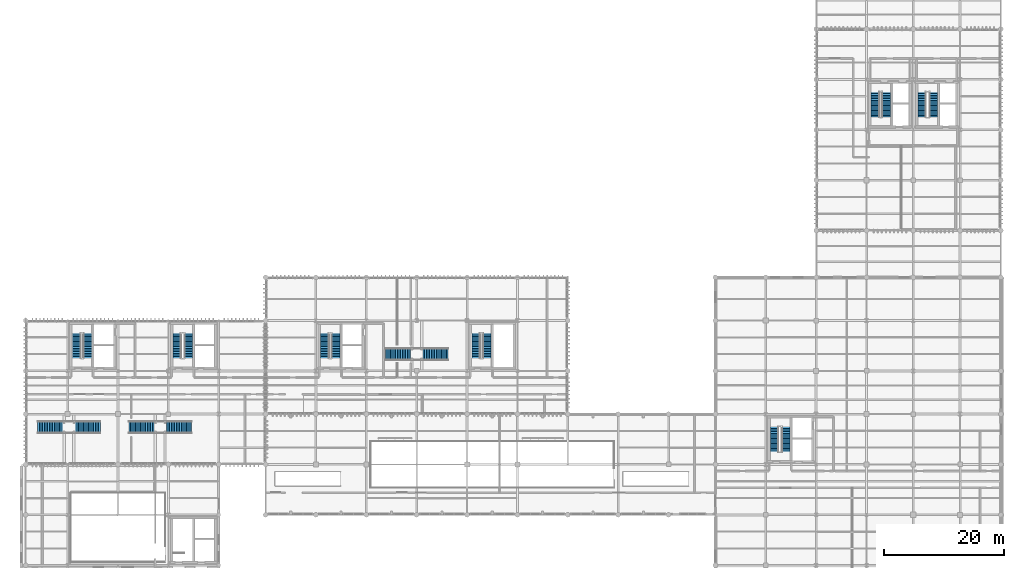
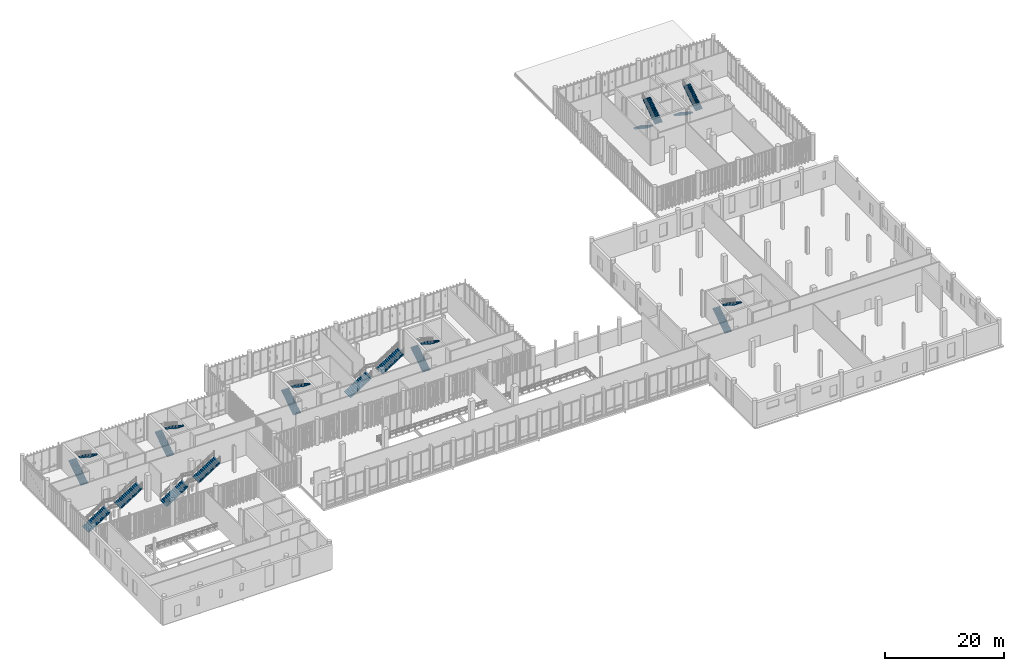
# One storey, part 114 of 128: 20 stair flights, 10 elements without a shape of their own.
"""IFC4 building model written with IfcOpenShell, lengths in metres."""

from ifc_helpers import new_model, si_unit, direction, frame, origin_with_axes, place, context, subcontext, project, spatial, polyline, outline, extrude, material, type_object, element, aggregate, save


model = new_model("IFC4")

# Units and contexts
model_context = context("Model", 3, precision=1e-05, world=origin_with_axes(), true_north=direction((0.0, 1.0)))
body_context = subcontext(model_context, "Body", "Model", "MODEL_VIEW")
ifc_project = project(units=[si_unit("LENGTHUNIT", "METRE"), si_unit("AREAUNIT", "SQUARE_METRE"), si_unit("VOLUMEUNIT", "CUBIC_METRE"), si_unit("PLANEANGLEUNIT", "RADIAN"), si_unit("MASSUNIT", "GRAM", prefix="KILO"), si_unit("THERMODYNAMICTEMPERATUREUNIT", "KELVIN")], contexts=[model_context])

# Site, building, storey
site_placement = place(None, origin_with_axes())
site = spatial("IfcSite", under=ifc_project, at=site_placement, CompositionType="ELEMENT")
building_placement = place(site_placement, origin_with_axes())
building = spatial("IfcBuilding", under=site, at=building_placement, Name="Montbau Bow Law Courts", CompositionType="ELEMENT")
storey_placement = place(building_placement, frame((0.0, 0.0, 5.4), z_axis=(0.0, 0.0, 1.0), x_axis=(1.0, 0.0, 0.0)))
storey = spatial("IfcBuildingStorey", under=building, at=storey_placement, Name="L01", CompositionType="ELEMENT", Elevation=5.4)

# Stair, stair flights
ifc_material_1 = material(Name="Concrete CSA A23.1 f'c 40 MPa", Category="concrete")
stair_type_1 = type_object("IfcStairType", Name="ST-JUD-1500", PredefinedType="HALF_TURN_STAIR", material=ifc_material_1)
stair_1_placement = place(None, frame((32.05, 48.3, 5.4), z_axis=(0.0, 0.0, 1.0), x_axis=(1.0, 0.0, 0.0)))
stair_1 = element("IfcStair", 1, at=stair_1_placement, inside=storey, type_object=stair_type_1, Name="ST-J1-L01:str_0011", PredefinedType="HALF_TURN_STAIR")
stair_flight_type_1 = type_object("IfcStairFlightType", Name="SF-RC-1500C", PredefinedType="STRAIGHT", material=ifc_material_1)
stair_flight_1_placement = place(None, frame((32.05, 48.3, 5.4), z_axis=(0.0, 0.0, 1.0), x_axis=(0.0, 1.0, 0.0)))
stair_flight_1 = element("IfcStairFlight", 2, at=stair_flight_1_placement, type_object=stair_flight_type_1, Name="ST-J1-L01-F1:str_0011_F1", NumberOfRisers=15, NumberOfTreads=14, PredefinedType="STRAIGHT", RiserHeight=0.18, TreadLength=0.28, context=body_context, shape_type="SweptSolid", body=[
    extrude(outline(polyline([(0.0, 0.0), (0.0, 0.18), (0.28, 0.18), (0.28, 0.36), (0.56, 0.36), (0.56, 0.54), (0.84, 0.54), (0.84, 0.72), (1.12, 0.72), (1.12, 0.9), (1.4, 0.9), (1.4, 1.08), (1.68, 1.08), (1.68, 1.26), (1.96, 1.26), (1.96, 1.44), (2.24, 1.44), (2.24, 1.62), (2.52, 1.62), (2.52, 1.8), (2.8, 1.8), (2.8, 1.98), (3.08, 1.98), (3.08, 2.16), (3.36, 2.16), (3.36, 2.34), (3.64, 2.34), (3.64, 2.52), (3.92, 2.52), (3.92, 2.7), (4.2, 2.7), (4.2, 2.486014), (0.332866, 0.0), (0.0, 0.0)])), frame((0.0, 0.67, 0.0), z_axis=(0.0, -1.0, 0.0), x_axis=(1.0, 0.0, 0.0)), (0.0, 0.0, 1.0), 1.34),
])
stair_flight_2_placement = place(None, frame((33.96, 52.5, 8.1), z_axis=(0.0, 0.0, 1.0), x_axis=(0.0, -1.0, 0.0)))
stair_flight_2 = element("IfcStairFlight", 3, at=stair_flight_2_placement, type_object=stair_flight_type_1, Name="ST-J1-L01-F2:str_0011_F2", NumberOfRisers=15, NumberOfTreads=14, PredefinedType="STRAIGHT", RiserHeight=0.18, TreadLength=0.28, context=body_context, shape_type="SweptSolid", body=[
    extrude(outline(polyline([(0.0, 0.0), (0.0, 0.18), (0.28, 0.18), (0.28, 0.36), (0.56, 0.36), (0.56, 0.54), (0.84, 0.54), (0.84, 0.72), (1.12, 0.72), (1.12, 0.9), (1.4, 0.9), (1.4, 1.08), (1.68, 1.08), (1.68, 1.26), (1.96, 1.26), (1.96, 1.44), (2.24, 1.44), (2.24, 1.62), (2.52, 1.62), (2.52, 1.8), (2.8, 1.8), (2.8, 1.98), (3.08, 1.98), (3.08, 2.16), (3.36, 2.16), (3.36, 2.34), (3.64, 2.34), (3.64, 2.52), (3.92, 2.52), (3.92, 2.7), (4.2, 2.7), (4.2, 2.486014), (0.332866, 0.0), (0.0, 0.0)])), frame((0.0, 0.67, 0.0), z_axis=(0.0, -1.0, 0.0), x_axis=(1.0, 0.0, 0.0)), (0.0, 0.0, 1.0), 1.34),
])
aggregate(stair_1, [stair_flight_1, stair_flight_2])

stair_2_placement = place(None, frame((156.25, 92.7, 5.4), z_axis=(0.0, 0.0, 1.0), x_axis=(1.0, 0.0, 0.0)))
stair_2 = element("IfcStair", 4, at=stair_2_placement, inside=storey, type_object=stair_type_1, Name="ST-J2-L01:str_0046", PredefinedType="HALF_TURN_STAIR")
stair_flight_3_placement = place(None, frame((156.25, 92.7, 5.4), z_axis=(0.0, 0.0, 1.0), x_axis=(0.0, -1.0, 0.0)))
stair_flight_3 = element("IfcStairFlight", 5, at=stair_flight_3_placement, type_object=stair_flight_type_1, Name="ST-J2-L01-F1:str_0046_F1", NumberOfRisers=15, NumberOfTreads=14, PredefinedType="STRAIGHT", RiserHeight=0.18, TreadLength=0.28, context=body_context, shape_type="SweptSolid", body=[
    extrude(outline(polyline([(0.0, 0.0), (0.0, 0.18), (0.28, 0.18), (0.28, 0.36), (0.56, 0.36), (0.56, 0.54), (0.84, 0.54), (0.84, 0.72), (1.12, 0.72), (1.12, 0.9), (1.4, 0.9), (1.4, 1.08), (1.68, 1.08), (1.68, 1.26), (1.96, 1.26), (1.96, 1.44), (2.24, 1.44), (2.24, 1.62), (2.52, 1.62), (2.52, 1.8), (2.8, 1.8), (2.8, 1.98), (3.08, 1.98), (3.08, 2.16), (3.36, 2.16), (3.36, 2.34), (3.64, 2.34), (3.64, 2.52), (3.92, 2.52), (3.92, 2.7), (4.2, 2.7), (4.2, 2.486014), (0.332866, 0.0), (0.0, 0.0)])), frame((0.0, 0.67, 0.0), z_axis=(0.0, -1.0, 0.0), x_axis=(1.0, 0.0, 0.0)), (0.0, 0.0, 1.0), 1.34),
])
stair_flight_4_placement = place(None, frame((158.16, 88.5, 8.1), z_axis=(0.0, 0.0, 1.0), x_axis=(0.0, 1.0, 0.0)))
stair_flight_4 = element("IfcStairFlight", 6, at=stair_flight_4_placement, type_object=stair_flight_type_1, Name="ST-J2-L01-F2:str_0046_F2", NumberOfRisers=15, NumberOfTreads=14, PredefinedType="STRAIGHT", RiserHeight=0.18, TreadLength=0.28, context=body_context, shape_type="SweptSolid", body=[
    extrude(outline(polyline([(0.0, 0.0), (0.0, 0.18), (0.28, 0.18), (0.28, 0.36), (0.56, 0.36), (0.56, 0.54), (0.84, 0.54), (0.84, 0.72), (1.12, 0.72), (1.12, 0.9), (1.4, 0.9), (1.4, 1.08), (1.68, 1.08), (1.68, 1.26), (1.96, 1.26), (1.96, 1.44), (2.24, 1.44), (2.24, 1.62), (2.52, 1.62), (2.52, 1.8), (2.8, 1.8), (2.8, 1.98), (3.08, 1.98), (3.08, 2.16), (3.36, 2.16), (3.36, 2.34), (3.64, 2.34), (3.64, 2.52), (3.92, 2.52), (3.92, 2.7), (4.2, 2.7), (4.2, 2.486014), (0.332866, 0.0), (0.0, 0.0)])), frame((0.0, 0.67, 0.0), z_axis=(0.0, -1.0, 0.0), x_axis=(1.0, 0.0, 0.0)), (0.0, 0.0, 1.0), 1.34),
])
aggregate(stair_2, [stair_flight_3, stair_flight_4])

stair_type_2 = type_object("IfcStairType", Name="ST-CUS-1500", PredefinedType="HALF_TURN_STAIR", material=ifc_material_1)
stair_3_placement = place(None, frame((131.65, 32.7, 5.4), z_axis=(0.0, 0.0, 1.0), x_axis=(1.0, 0.0, 0.0)))
stair_3 = element("IfcStair", 7, at=stair_3_placement, inside=storey, type_object=stair_type_2, Name="ST-C1-L01:str_0057", PredefinedType="HALF_TURN_STAIR")
stair_flight_5_placement = place(None, frame((131.65, 32.7, 5.4), z_axis=(0.0, 0.0, 1.0), x_axis=(0.0, 1.0, 0.0)))
stair_flight_5 = element("IfcStairFlight", 8, at=stair_flight_5_placement, type_object=stair_flight_type_1, Name="ST-C1-L01-F1:str_0057_F1", NumberOfRisers=15, NumberOfTreads=14, PredefinedType="STRAIGHT", RiserHeight=0.18, TreadLength=0.28, context=body_context, shape_type="SweptSolid", body=[
    extrude(outline(polyline([(0.0, 0.0), (0.0, 0.18), (0.28, 0.18), (0.28, 0.36), (0.56, 0.36), (0.56, 0.54), (0.84, 0.54), (0.84, 0.72), (1.12, 0.72), (1.12, 0.9), (1.4, 0.9), (1.4, 1.08), (1.68, 1.08), (1.68, 1.26), (1.96, 1.26), (1.96, 1.44), (2.24, 1.44), (2.24, 1.62), (2.52, 1.62), (2.52, 1.8), (2.8, 1.8), (2.8, 1.98), (3.08, 1.98), (3.08, 2.16), (3.36, 2.16), (3.36, 2.34), (3.64, 2.34), (3.64, 2.52), (3.92, 2.52), (3.92, 2.7), (4.2, 2.7), (4.2, 2.486014), (0.332866, 0.0), (0.0, 0.0)])), frame((0.0, 0.67, 0.0), z_axis=(0.0, -1.0, 0.0), x_axis=(1.0, 0.0, 0.0)), (0.0, 0.0, 1.0), 1.34),
])
stair_flight_6_placement = place(None, frame((133.56, 36.9, 8.1), z_axis=(0.0, 0.0, 1.0), x_axis=(0.0, -1.0, 0.0)))
stair_flight_6 = element("IfcStairFlight", 9, at=stair_flight_6_placement, type_object=stair_flight_type_1, Name="ST-C1-L01-F2:str_0057_F2", NumberOfRisers=15, NumberOfTreads=14, PredefinedType="STRAIGHT", RiserHeight=0.18, TreadLength=0.28, context=body_context, shape_type="SweptSolid", body=[
    extrude(outline(polyline([(0.0, 0.0), (0.0, 0.18), (0.28, 0.18), (0.28, 0.36), (0.56, 0.36), (0.56, 0.54), (0.84, 0.54), (0.84, 0.72), (1.12, 0.72), (1.12, 0.9), (1.4, 0.9), (1.4, 1.08), (1.68, 1.08), (1.68, 1.26), (1.96, 1.26), (1.96, 1.44), (2.24, 1.44), (2.24, 1.62), (2.52, 1.62), (2.52, 1.8), (2.8, 1.8), (2.8, 1.98), (3.08, 1.98), (3.08, 2.16), (3.36, 2.16), (3.36, 2.34), (3.64, 2.34), (3.64, 2.52), (3.92, 2.52), (3.92, 2.7), (4.2, 2.7), (4.2, 2.486014), (0.332866, 0.0), (0.0, 0.0)])), frame((0.0, 0.67, 0.0), z_axis=(0.0, -1.0, 0.0), x_axis=(1.0, 0.0, 0.0)), (0.0, 0.0, 1.0), 1.34),
])
aggregate(stair_3, [stair_flight_5, stair_flight_6])

stair_type_3 = type_object("IfcStairType", Name="ST-PUB-1800", PredefinedType="HALF_TURN_STAIR", material=ifc_material_1)
stair_4_placement = place(None, frame((15.29, 48.3, 5.4), z_axis=(0.0, 0.0, 1.0), x_axis=(1.0, 0.0, 0.0)))
stair_4 = element("IfcStair", 10, at=stair_4_placement, inside=storey, type_object=stair_type_3, Name="ST-P1-L01:str_0003", PredefinedType="HALF_TURN_STAIR")
stair_flight_type_2 = type_object("IfcStairFlightType", Name="SF-RC-1800C", PredefinedType="STRAIGHT", material=ifc_material_1)
stair_flight_7_placement = place(None, frame((15.29, 48.3, 5.4), z_axis=(0.0, 0.0, 1.0), x_axis=(0.0, 1.0, 0.0)))
stair_flight_7 = element("IfcStairFlight", 11, at=stair_flight_7_placement, type_object=stair_flight_type_2, Name="ST-P1-L01-F1:str_0003_F1", NumberOfRisers=15, NumberOfTreads=14, PredefinedType="STRAIGHT", RiserHeight=0.18, TreadLength=0.28, context=body_context, shape_type="SweptSolid", body=[
    extrude(outline(polyline([(0.0, 0.0), (0.0, 0.18), (0.28, 0.18), (0.28, 0.36), (0.56, 0.36), (0.56, 0.54), (0.84, 0.54), (0.84, 0.72), (1.12, 0.72), (1.12, 0.9), (1.4, 0.9), (1.4, 1.08), (1.68, 1.08), (1.68, 1.26), (1.96, 1.26), (1.96, 1.44), (2.24, 1.44), (2.24, 1.62), (2.52, 1.62), (2.52, 1.8), (2.8, 1.8), (2.8, 1.98), (3.08, 1.98), (3.08, 2.16), (3.36, 2.16), (3.36, 2.34), (3.64, 2.34), (3.64, 2.52), (3.92, 2.52), (3.92, 2.7), (4.2, 2.7), (4.2, 2.486014), (0.332866, 0.0), (0.0, 0.0)])), frame((0.0, 0.71, 0.0), z_axis=(0.0, -1.0, 0.0), x_axis=(1.0, 0.0, 0.0)), (0.0, 0.0, 1.0), 1.42),
])
stair_flight_8_placement = place(None, frame((17.12, 52.5, 8.1), z_axis=(0.0, 0.0, 1.0), x_axis=(0.0, -1.0, 0.0)))
stair_flight_8 = element("IfcStairFlight", 12, at=stair_flight_8_placement, type_object=stair_flight_type_2, Name="ST-P1-L01-F2:str_0003_F2", NumberOfRisers=15, NumberOfTreads=14, PredefinedType="STRAIGHT", RiserHeight=0.18, TreadLength=0.28, context=body_context, shape_type="SweptSolid", body=[
    extrude(outline(polyline([(0.0, 0.0), (0.0, 0.18), (0.28, 0.18), (0.28, 0.36), (0.56, 0.36), (0.56, 0.54), (0.84, 0.54), (0.84, 0.72), (1.12, 0.72), (1.12, 0.9), (1.4, 0.9), (1.4, 1.08), (1.68, 1.08), (1.68, 1.26), (1.96, 1.26), (1.96, 1.44), (2.24, 1.44), (2.24, 1.62), (2.52, 1.62), (2.52, 1.8), (2.8, 1.8), (2.8, 1.98), (3.08, 1.98), (3.08, 2.16), (3.36, 2.16), (3.36, 2.34), (3.64, 2.34), (3.64, 2.52), (3.92, 2.52), (3.92, 2.7), (4.2, 2.7), (4.2, 2.486014), (0.332866, 0.0), (0.0, 0.0)])), frame((0.0, 0.71, 0.0), z_axis=(0.0, -1.0, 0.0), x_axis=(1.0, 0.0, 0.0)), (0.0, 0.0, 1.0), 1.42),
])
aggregate(stair_4, [stair_flight_7, stair_flight_8])

stair_5_placement = place(None, frame((56.69, 48.3, 5.4), z_axis=(0.0, 0.0, 1.0), x_axis=(1.0, 0.0, 0.0)))
stair_5 = element("IfcStair", 13, at=stair_5_placement, inside=storey, type_object=stair_type_3, Name="ST-P4-L01:str_0019", PredefinedType="HALF_TURN_STAIR")
stair_flight_9_placement = place(None, frame((56.69, 48.3, 5.4), z_axis=(0.0, 0.0, 1.0), x_axis=(0.0, 1.0, 0.0)))
stair_flight_9 = element("IfcStairFlight", 14, at=stair_flight_9_placement, type_object=stair_flight_type_2, Name="ST-P4-L01-F1:str_0019_F1", NumberOfRisers=15, NumberOfTreads=14, PredefinedType="STRAIGHT", RiserHeight=0.18, TreadLength=0.28, context=body_context, shape_type="SweptSolid", body=[
    extrude(outline(polyline([(0.0, 0.0), (0.0, 0.18), (0.28, 0.18), (0.28, 0.36), (0.56, 0.36), (0.56, 0.54), (0.84, 0.54), (0.84, 0.72), (1.12, 0.72), (1.12, 0.9), (1.4, 0.9), (1.4, 1.08), (1.68, 1.08), (1.68, 1.26), (1.96, 1.26), (1.96, 1.44), (2.24, 1.44), (2.24, 1.62), (2.52, 1.62), (2.52, 1.8), (2.8, 1.8), (2.8, 1.98), (3.08, 1.98), (3.08, 2.16), (3.36, 2.16), (3.36, 2.34), (3.64, 2.34), (3.64, 2.52), (3.92, 2.52), (3.92, 2.7), (4.2, 2.7), (4.2, 2.486014), (0.332866, 0.0), (0.0, 0.0)])), frame((0.0, 0.71, 0.0), z_axis=(0.0, -1.0, 0.0), x_axis=(1.0, 0.0, 0.0)), (0.0, 0.0, 1.0), 1.42),
])
stair_flight_10_placement = place(None, frame((58.52, 52.5, 8.1), z_axis=(0.0, 0.0, 1.0), x_axis=(0.0, -1.0, 0.0)))
stair_flight_10 = element("IfcStairFlight", 15, at=stair_flight_10_placement, type_object=stair_flight_type_2, Name="ST-P4-L01-F2:str_0019_F2", NumberOfRisers=15, NumberOfTreads=14, PredefinedType="STRAIGHT", RiserHeight=0.18, TreadLength=0.28, context=body_context, shape_type="SweptSolid", body=[
    extrude(outline(polyline([(0.0, 0.0), (0.0, 0.18), (0.28, 0.18), (0.28, 0.36), (0.56, 0.36), (0.56, 0.54), (0.84, 0.54), (0.84, 0.72), (1.12, 0.72), (1.12, 0.9), (1.4, 0.9), (1.4, 1.08), (1.68, 1.08), (1.68, 1.26), (1.96, 1.26), (1.96, 1.44), (2.24, 1.44), (2.24, 1.62), (2.52, 1.62), (2.52, 1.8), (2.8, 1.8), (2.8, 1.98), (3.08, 1.98), (3.08, 2.16), (3.36, 2.16), (3.36, 2.34), (3.64, 2.34), (3.64, 2.52), (3.92, 2.52), (3.92, 2.7), (4.2, 2.7), (4.2, 2.486014), (0.332866, 0.0), (0.0, 0.0)])), frame((0.0, 0.71, 0.0), z_axis=(0.0, -1.0, 0.0), x_axis=(1.0, 0.0, 0.0)), (0.0, 0.0, 1.0), 1.42),
])
aggregate(stair_5, [stair_flight_9, stair_flight_10])

stair_6_placement = place(None, frame((81.89, 48.3, 5.4), z_axis=(0.0, 0.0, 1.0), x_axis=(1.0, 0.0, 0.0)))
stair_6 = element("IfcStair", 16, at=stair_6_placement, inside=storey, type_object=stair_type_3, Name="ST-P3-L01:str_0027", PredefinedType="HALF_TURN_STAIR")
stair_flight_11_placement = place(None, frame((81.89, 48.3, 5.4), z_axis=(0.0, 0.0, 1.0), x_axis=(0.0, 1.0, 0.0)))
stair_flight_11 = element("IfcStairFlight", 17, at=stair_flight_11_placement, type_object=stair_flight_type_2, Name="ST-P3-L01-F1:str_0027_F1", NumberOfRisers=15, NumberOfTreads=14, PredefinedType="STRAIGHT", RiserHeight=0.18, TreadLength=0.28, context=body_context, shape_type="SweptSolid", body=[
    extrude(outline(polyline([(0.0, 0.0), (0.0, 0.18), (0.28, 0.18), (0.28, 0.36), (0.56, 0.36), (0.56, 0.54), (0.84, 0.54), (0.84, 0.72), (1.12, 0.72), (1.12, 0.9), (1.4, 0.9), (1.4, 1.08), (1.68, 1.08), (1.68, 1.26), (1.96, 1.26), (1.96, 1.44), (2.24, 1.44), (2.24, 1.62), (2.52, 1.62), (2.52, 1.8), (2.8, 1.8), (2.8, 1.98), (3.08, 1.98), (3.08, 2.16), (3.36, 2.16), (3.36, 2.34), (3.64, 2.34), (3.64, 2.52), (3.92, 2.52), (3.92, 2.7), (4.2, 2.7), (4.2, 2.486014), (0.332866, 0.0), (0.0, 0.0)])), frame((0.0, 0.71, 0.0), z_axis=(0.0, -1.0, 0.0), x_axis=(1.0, 0.0, 0.0)), (0.0, 0.0, 1.0), 1.42),
])
stair_flight_12_placement = place(None, frame((83.72, 52.5, 8.1), z_axis=(0.0, 0.0, 1.0), x_axis=(0.0, -1.0, 0.0)))
stair_flight_12 = element("IfcStairFlight", 18, at=stair_flight_12_placement, type_object=stair_flight_type_2, Name="ST-P3-L01-F2:str_0027_F2", NumberOfRisers=15, NumberOfTreads=14, PredefinedType="STRAIGHT", RiserHeight=0.18, TreadLength=0.28, context=body_context, shape_type="SweptSolid", body=[
    extrude(outline(polyline([(0.0, 0.0), (0.0, 0.18), (0.28, 0.18), (0.28, 0.36), (0.56, 0.36), (0.56, 0.54), (0.84, 0.54), (0.84, 0.72), (1.12, 0.72), (1.12, 0.9), (1.4, 0.9), (1.4, 1.08), (1.68, 1.08), (1.68, 1.26), (1.96, 1.26), (1.96, 1.44), (2.24, 1.44), (2.24, 1.62), (2.52, 1.62), (2.52, 1.8), (2.8, 1.8), (2.8, 1.98), (3.08, 1.98), (3.08, 2.16), (3.36, 2.16), (3.36, 2.34), (3.64, 2.34), (3.64, 2.52), (3.92, 2.52), (3.92, 2.7), (4.2, 2.7), (4.2, 2.486014), (0.332866, 0.0), (0.0, 0.0)])), frame((0.0, 0.71, 0.0), z_axis=(0.0, -1.0, 0.0), x_axis=(1.0, 0.0, 0.0)), (0.0, 0.0, 1.0), 1.42),
])
aggregate(stair_6, [stair_flight_11, stair_flight_12])

stair_7_placement = place(None, frame((148.49, 92.7, 5.4), z_axis=(0.0, 0.0, 1.0), x_axis=(1.0, 0.0, 0.0)))
stair_7 = element("IfcStair", 19, at=stair_7_placement, inside=storey, type_object=stair_type_3, Name="ST-P2-L01:str_0035", PredefinedType="HALF_TURN_STAIR")
stair_flight_13_placement = place(None, frame((148.49, 92.7, 5.4), z_axis=(0.0, 0.0, 1.0), x_axis=(0.0, -1.0, 0.0)))
stair_flight_13 = element("IfcStairFlight", 20, at=stair_flight_13_placement, type_object=stair_flight_type_2, Name="ST-P2-L01-F1:str_0035_F1", NumberOfRisers=15, NumberOfTreads=14, PredefinedType="STRAIGHT", RiserHeight=0.18, TreadLength=0.28, context=body_context, shape_type="SweptSolid", body=[
    extrude(outline(polyline([(0.0, 0.0), (0.0, 0.18), (0.28, 0.18), (0.28, 0.36), (0.56, 0.36), (0.56, 0.54), (0.84, 0.54), (0.84, 0.72), (1.12, 0.72), (1.12, 0.9), (1.4, 0.9), (1.4, 1.08), (1.68, 1.08), (1.68, 1.26), (1.96, 1.26), (1.96, 1.44), (2.24, 1.44), (2.24, 1.62), (2.52, 1.62), (2.52, 1.8), (2.8, 1.8), (2.8, 1.98), (3.08, 1.98), (3.08, 2.16), (3.36, 2.16), (3.36, 2.34), (3.64, 2.34), (3.64, 2.52), (3.92, 2.52), (3.92, 2.7), (4.2, 2.7), (4.2, 2.486014), (0.332866, 0.0), (0.0, 0.0)])), frame((0.0, 0.71, 0.0), z_axis=(0.0, -1.0, 0.0), x_axis=(1.0, 0.0, 0.0)), (0.0, 0.0, 1.0), 1.42),
])
stair_flight_14_placement = place(None, frame((150.32, 88.5, 8.1), z_axis=(0.0, 0.0, 1.0), x_axis=(0.0, 1.0, 0.0)))
stair_flight_14 = element("IfcStairFlight", 21, at=stair_flight_14_placement, type_object=stair_flight_type_2, Name="ST-P2-L01-F2:str_0035_F2", NumberOfRisers=15, NumberOfTreads=14, PredefinedType="STRAIGHT", RiserHeight=0.18, TreadLength=0.28, context=body_context, shape_type="SweptSolid", body=[
    extrude(outline(polyline([(0.0, 0.0), (0.0, 0.18), (0.28, 0.18), (0.28, 0.36), (0.56, 0.36), (0.56, 0.54), (0.84, 0.54), (0.84, 0.72), (1.12, 0.72), (1.12, 0.9), (1.4, 0.9), (1.4, 1.08), (1.68, 1.08), (1.68, 1.26), (1.96, 1.26), (1.96, 1.44), (2.24, 1.44), (2.24, 1.62), (2.52, 1.62), (2.52, 1.8), (2.8, 1.8), (2.8, 1.98), (3.08, 1.98), (3.08, 2.16), (3.36, 2.16), (3.36, 2.34), (3.64, 2.34), (3.64, 2.52), (3.92, 2.52), (3.92, 2.7), (4.2, 2.7), (4.2, 2.486014), (0.332866, 0.0), (0.0, 0.0)])), frame((0.0, 0.71, 0.0), z_axis=(0.0, -1.0, 0.0), x_axis=(1.0, 0.0, 0.0)), (0.0, 0.0, 1.0), 1.42),
])
aggregate(stair_7, [stair_flight_13, stair_flight_14])

ifc_material_2 = material(Name="Steel CSA G40.21 Grade 350W (350 MPa)", Category="steel")
stair_type_4 = type_object("IfcStairType", Name="ST-GRD-2200", PredefinedType="STRAIGHT_RUN_STAIR", material=ifc_material_2)
stair_8_placement = place(None, frame((24.0, 36.8, 5.4), z_axis=(0.0, 0.0, 1.0), x_axis=(1.0, 0.0, 0.0)))
stair_8 = element("IfcStair", 22, at=stair_8_placement, inside=storey, type_object=stair_type_4, Name="ST-TRL-01:str_0065", PredefinedType="STRAIGHT_RUN_STAIR")
stair_flight_type_3 = type_object("IfcStairFlightType", Name="SF-ST-2200C", PredefinedType="STRAIGHT", material=ifc_material_2)
stair_flight_15_placement = place(None, frame((24.0, 36.8, 5.4), z_axis=(0.0, 0.0, 1.0), x_axis=(1.0, 0.0, 0.0)))
stair_flight_15 = element("IfcStairFlight", 23, at=stair_flight_15_placement, type_object=stair_flight_type_3, Name="ST-TRL-01-F1:str_0065_F1", NumberOfRisers=15, NumberOfTreads=14, PredefinedType="STRAIGHT", RiserHeight=0.18, TreadLength=0.28, context=body_context, shape_type="SweptSolid", body=[
    extrude(outline(polyline([(0.0, 0.0), (0.0, 0.18), (0.28, 0.18), (0.28, 0.36), (0.56, 0.36), (0.56, 0.54), (0.84, 0.54), (0.84, 0.72), (1.12, 0.72), (1.12, 0.9), (1.4, 0.9), (1.4, 1.08), (1.68, 1.08), (1.68, 1.26), (1.96, 1.26), (1.96, 1.44), (2.24, 1.44), (2.24, 1.62), (2.52, 1.62), (2.52, 1.8), (2.8, 1.8), (2.8, 1.98), (3.08, 1.98), (3.08, 2.16), (3.36, 2.16), (3.36, 2.34), (3.64, 2.34), (3.64, 2.52), (3.92, 2.52), (3.92, 2.7), (4.2, 2.7), (4.2, 2.486014), (0.332866, 0.0), (0.0, 0.0)])), frame((0.0, 1.0, 0.0), z_axis=(0.0, -1.0, 0.0), x_axis=(1.0, 0.0, 0.0)), (0.0, 0.0, 1.0), 2.0),
])
stair_flight_16_placement = place(None, frame((30.25, 36.8, 8.1), z_axis=(0.0, 0.0, 1.0), x_axis=(1.0, 0.0, 0.0)))
stair_flight_16 = element("IfcStairFlight", 24, at=stair_flight_16_placement, type_object=stair_flight_type_3, Name="ST-TRL-01-F2:str_0065_F2", NumberOfRisers=15, NumberOfTreads=14, PredefinedType="STRAIGHT", RiserHeight=0.18, TreadLength=0.28, context=body_context, shape_type="SweptSolid", body=[
    extrude(outline(polyline([(0.0, 0.0), (0.0, 0.18), (0.28, 0.18), (0.28, 0.36), (0.56, 0.36), (0.56, 0.54), (0.84, 0.54), (0.84, 0.72), (1.12, 0.72), (1.12, 0.9), (1.4, 0.9), (1.4, 1.08), (1.68, 1.08), (1.68, 1.26), (1.96, 1.26), (1.96, 1.44), (2.24, 1.44), (2.24, 1.62), (2.52, 1.62), (2.52, 1.8), (2.8, 1.8), (2.8, 1.98), (3.08, 1.98), (3.08, 2.16), (3.36, 2.16), (3.36, 2.34), (3.64, 2.34), (3.64, 2.52), (3.92, 2.52), (3.92, 2.7), (4.2, 2.7), (4.2, 2.486014), (0.332866, 0.0), (0.0, 0.0)])), frame((0.0, 1.0, 0.0), z_axis=(0.0, -1.0, 0.0), x_axis=(1.0, 0.0, 0.0)), (0.0, 0.0, 1.0), 2.0),
])
aggregate(stair_8, [stair_flight_15, stair_flight_16])

stair_9_placement = place(None, frame((66.8, 49.0, 5.4), z_axis=(0.0, 0.0, 1.0), x_axis=(1.0, 0.0, 0.0)))
stair_9 = element("IfcStair", 25, at=stair_9_placement, inside=storey, type_object=stair_type_4, Name="ST-TRL-02:str_0066", PredefinedType="STRAIGHT_RUN_STAIR")
stair_flight_17_placement = place(None, frame((66.8, 49.0, 5.4), z_axis=(0.0, 0.0, 1.0), x_axis=(1.0, 0.0, 0.0)))
stair_flight_17 = element("IfcStairFlight", 26, at=stair_flight_17_placement, type_object=stair_flight_type_3, Name="ST-TRL-02-F1:str_0066_F1", NumberOfRisers=15, NumberOfTreads=14, PredefinedType="STRAIGHT", RiserHeight=0.18, TreadLength=0.28, context=body_context, shape_type="SweptSolid", body=[
    extrude(outline(polyline([(0.0, 0.0), (0.0, 0.18), (0.28, 0.18), (0.28, 0.36), (0.56, 0.36), (0.56, 0.54), (0.84, 0.54), (0.84, 0.72), (1.12, 0.72), (1.12, 0.9), (1.4, 0.9), (1.4, 1.08), (1.68, 1.08), (1.68, 1.26), (1.96, 1.26), (1.96, 1.44), (2.24, 1.44), (2.24, 1.62), (2.52, 1.62), (2.52, 1.8), (2.8, 1.8), (2.8, 1.98), (3.08, 1.98), (3.08, 2.16), (3.36, 2.16), (3.36, 2.34), (3.64, 2.34), (3.64, 2.52), (3.92, 2.52), (3.92, 2.7), (4.2, 2.7), (4.2, 2.486014), (0.332866, 0.0), (0.0, 0.0)])), frame((0.0, 1.0, 0.0), z_axis=(0.0, -1.0, 0.0), x_axis=(1.0, 0.0, 0.0)), (0.0, 0.0, 1.0), 2.0),
])
stair_flight_18_placement = place(None, frame((73.05, 49.0, 8.1), z_axis=(0.0, 0.0, 1.0), x_axis=(1.0, 0.0, 0.0)))
stair_flight_18 = element("IfcStairFlight", 27, at=stair_flight_18_placement, type_object=stair_flight_type_3, Name="ST-TRL-02-F2:str_0066_F2", NumberOfRisers=15, NumberOfTreads=14, PredefinedType="STRAIGHT", RiserHeight=0.18, TreadLength=0.28, context=body_context, shape_type="SweptSolid", body=[
    extrude(outline(polyline([(0.0, 0.0), (0.0, 0.18), (0.28, 0.18), (0.28, 0.36), (0.56, 0.36), (0.56, 0.54), (0.84, 0.54), (0.84, 0.72), (1.12, 0.72), (1.12, 0.9), (1.4, 0.9), (1.4, 1.08), (1.68, 1.08), (1.68, 1.26), (1.96, 1.26), (1.96, 1.44), (2.24, 1.44), (2.24, 1.62), (2.52, 1.62), (2.52, 1.8), (2.8, 1.8), (2.8, 1.98), (3.08, 1.98), (3.08, 2.16), (3.36, 2.16), (3.36, 2.34), (3.64, 2.34), (3.64, 2.52), (3.92, 2.52), (3.92, 2.7), (4.2, 2.7), (4.2, 2.486014), (0.332866, 0.0), (0.0, 0.0)])), frame((0.0, 1.0, 0.0), z_axis=(0.0, -1.0, 0.0), x_axis=(1.0, 0.0, 0.0)), (0.0, 0.0, 1.0), 2.0),
])
aggregate(stair_9, [stair_flight_17, stair_flight_18])

stair_10_placement = place(None, frame((8.8, 36.8, 5.4), z_axis=(0.0, 0.0, 1.0), x_axis=(1.0, 0.0, 0.0)))
stair_10 = element("IfcStair", 28, at=stair_10_placement, inside=storey, type_object=stair_type_4, Name="ST-TRL-03:str_0067", PredefinedType="STRAIGHT_RUN_STAIR")
stair_flight_19_placement = place(None, frame((8.8, 36.8, 5.4), z_axis=(0.0, 0.0, 1.0), x_axis=(1.0, 0.0, 0.0)))
stair_flight_19 = element("IfcStairFlight", 29, at=stair_flight_19_placement, type_object=stair_flight_type_3, Name="ST-TRL-03-F1:str_0067_F1", NumberOfRisers=15, NumberOfTreads=14, PredefinedType="STRAIGHT", RiserHeight=0.18, TreadLength=0.28, context=body_context, shape_type="SweptSolid", body=[
    extrude(outline(polyline([(0.0, 0.0), (0.0, 0.18), (0.28, 0.18), (0.28, 0.36), (0.56, 0.36), (0.56, 0.54), (0.84, 0.54), (0.84, 0.72), (1.12, 0.72), (1.12, 0.9), (1.4, 0.9), (1.4, 1.08), (1.68, 1.08), (1.68, 1.26), (1.96, 1.26), (1.96, 1.44), (2.24, 1.44), (2.24, 1.62), (2.52, 1.62), (2.52, 1.8), (2.8, 1.8), (2.8, 1.98), (3.08, 1.98), (3.08, 2.16), (3.36, 2.16), (3.36, 2.34), (3.64, 2.34), (3.64, 2.52), (3.92, 2.52), (3.92, 2.7), (4.2, 2.7), (4.2, 2.486014), (0.332866, 0.0), (0.0, 0.0)])), frame((0.0, 1.0, 0.0), z_axis=(0.0, -1.0, 0.0), x_axis=(1.0, 0.0, 0.0)), (0.0, 0.0, 1.0), 2.0),
])
stair_flight_20_placement = place(None, frame((15.05, 36.8, 8.1), z_axis=(0.0, 0.0, 1.0), x_axis=(1.0, 0.0, 0.0)))
stair_flight_20 = element("IfcStairFlight", 30, at=stair_flight_20_placement, type_object=stair_flight_type_3, Name="ST-TRL-03-F2:str_0067_F2", NumberOfRisers=15, NumberOfTreads=14, PredefinedType="STRAIGHT", RiserHeight=0.18, TreadLength=0.28, context=body_context, shape_type="SweptSolid", body=[
    extrude(outline(polyline([(0.0, 0.0), (0.0, 0.18), (0.28, 0.18), (0.28, 0.36), (0.56, 0.36), (0.56, 0.54), (0.84, 0.54), (0.84, 0.72), (1.12, 0.72), (1.12, 0.9), (1.4, 0.9), (1.4, 1.08), (1.68, 1.08), (1.68, 1.26), (1.96, 1.26), (1.96, 1.44), (2.24, 1.44), (2.24, 1.62), (2.52, 1.62), (2.52, 1.8), (2.8, 1.8), (2.8, 1.98), (3.08, 1.98), (3.08, 2.16), (3.36, 2.16), (3.36, 2.34), (3.64, 2.34), (3.64, 2.52), (3.92, 2.52), (3.92, 2.7), (4.2, 2.7), (4.2, 2.486014), (0.332866, 0.0), (0.0, 0.0)])), frame((0.0, 1.0, 0.0), z_axis=(0.0, -1.0, 0.0), x_axis=(1.0, 0.0, 0.0)), (0.0, 0.0, 1.0), 2.0),
])
aggregate(stair_10, [stair_flight_19, stair_flight_20])

save(model, "model.ifc")
